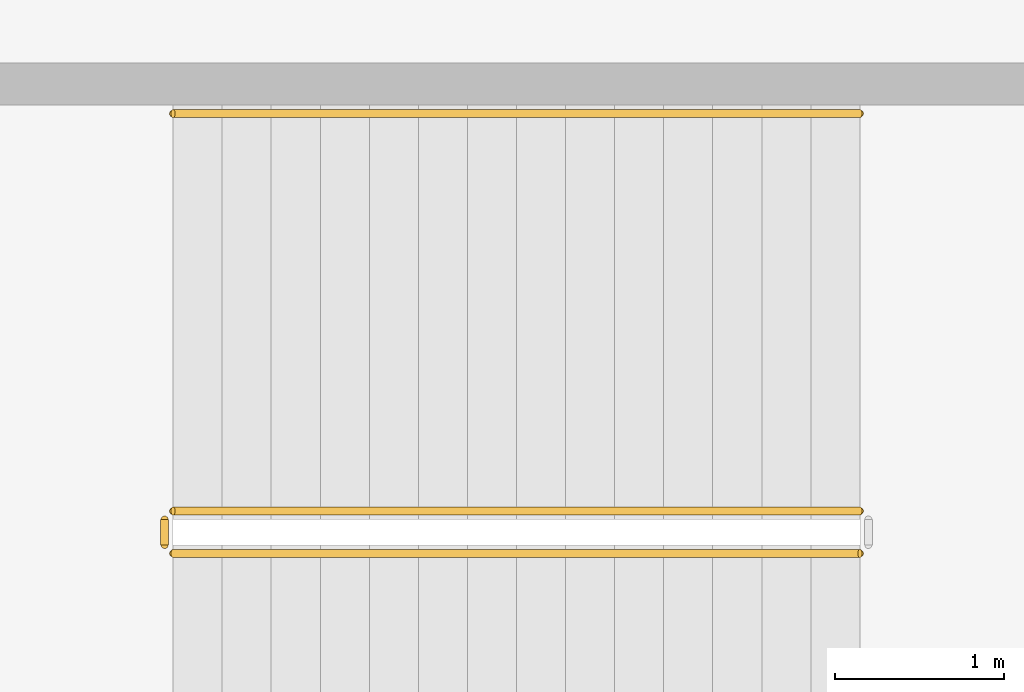
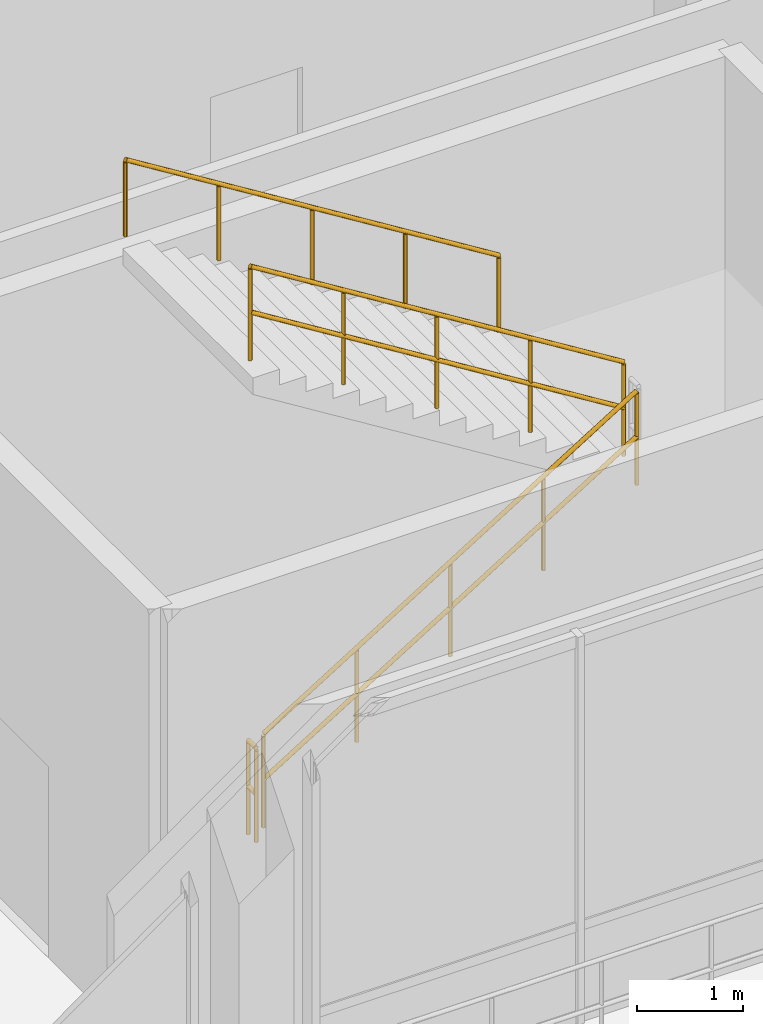
# One storey, part 98 of 111: 4 railings.
"""IFC4 building model written with IfcOpenShell, lengths in metres."""

from ifc_helpers import new_model, si_unit, direction, frame, origin, origin_2d, place, context, subcontext, project, spatial, circle, extrude, material, layer, layer_set, type_object, element, save


model = new_model("IFC4")

# Units and contexts
model_context = context("Model", 3, precision=1e-05, world=origin(), true_north=direction((0.0, 1.0)))
body_context = subcontext(model_context, "Body", "Model", "MODEL_VIEW")
ifc_project = project(units=[si_unit("LENGTHUNIT", "METRE"), si_unit("AREAUNIT", "SQUARE_METRE"), si_unit("VOLUMEUNIT", "CUBIC_METRE"), si_unit("PLANEANGLEUNIT", "RADIAN"), si_unit("MASSUNIT", "GRAM", prefix="KILO")], contexts=[model_context])

# Site, building, storey
site_placement = place(None, origin())
site = spatial("IfcSite", under=ifc_project, at=site_placement, CompositionType="ELEMENT")
building_placement = place(site_placement, origin())
building = spatial("IfcBuilding", under=site, at=building_placement, Name="Candeia Ridge Stadium", CompositionType="ELEMENT")
storey_placement = place(building_placement, frame((0.0, 0.0, 16.199951171875)))
storey = spatial("IfcBuildingStorey", under=building, at=storey_placement, Name="L03", CompositionType="ELEMENT", Elevation=16.199951171875)

# Railings
ifc_material_1 = material(Name="Brushed Stainless Steel", Category="steel")
ifc_layer_1 = layer(ifc_material_1, 0.048095703125, Name="Brushed Stainless Steel", Category="steel")
ifc_layer_set_1 = layer_set([ifc_layer_1], Name="Brushed Stainless Steel")
railing_type_1 = type_object("IfcRailingType", Name="Stair Wall & Flight Handrail 900", PredefinedType="HANDRAIL", material=ifc_layer_set_1)
railing_1_placement = place(storey_placement, frame((153.010009765625, 7.199951171875, 2.880126953125)))
element("IfcRailing", 1, at=railing_1_placement, inside=storey, type_object=railing_type_1, Name="L03 ST14 stair handrail 2", PredefinedType="HANDRAIL", context=body_context, shape_type="SweptSolid", body=[
    extrude(circle(Radius=0.02392578125, at=origin_2d()), frame((0.0, 0.0, 0.8759765625), z_axis=(-0.849641744969, 0.0, 0.527360318194), x_axis=(0.0, -1.0, 0.0)), (0.0, 0.0, 1.0), 4.778564453125),
    extrude(circle(Radius=0.02099609375, at=origin_2d()), origin(), (0.0, 0.0, 1.0), 0.851806640625),
    extrude(circle(Radius=0.02099609375, at=origin_2d()), frame((-1.01513671875, 0.0, 0.6298828125)), (0.0, 0.0, 1.0), 0.851806640625),
    extrude(circle(Radius=0.02099609375, at=origin_2d()), frame((-2.030029296875, 0.0, 1.260009765625)), (0.0, 0.0, 1.0), 0.851806640625),
    extrude(circle(Radius=0.02099609375, at=origin_2d()), frame((-3.044921875, 0.0, 1.89013671875)), (0.0, 0.0, 1.0), 0.851806640625),
    extrude(circle(Radius=0.02099609375, at=origin_2d()), frame((-4.06005859375, 0.0, 2.52001953125)), (0.0, 0.0, 1.0), 0.851806640625),
])
ifc_material_2 = material(Name="Galvanized Powder-Coated Steel", Category="steel")
ifc_layer_2 = layer(ifc_material_2, 0.06005859375, Name="Galvanized Powder-Coated Steel", Category="steel")
ifc_layer_set_2 = layer_set([ifc_layer_2], Name="Galvanized Powder-Coated Steel")
railing_type_2 = type_object("IfcRailingType", Name="Stair Well Guardrail 1100", PredefinedType="GUARDRAIL", material=ifc_layer_set_2)
railing_2_placement = place(storey_placement, frame((148.949951171875, 4.60009765625, 0.179931640625)))
element("IfcRailing", 2, at=railing_2_placement, inside=storey, type_object=railing_type_2, Name="L03 ST14 stair guard 1", PredefinedType="GUARDRAIL", context=body_context, shape_type="SweptSolid", body=[
    extrude(circle(Radius=0.02392578125, at=origin_2d()), frame((0.0, 0.0, 1.076171875), z_axis=(0.849641744969, 0.0, 0.527360318194), x_axis=(0.0, 1.0, 0.0)), (0.0, 0.0, 1.0), 4.778564453125),
    extrude(circle(Radius=0.02392578125, at=origin_2d()), frame((0.0, 0.0, 0.550048828125), z_axis=(0.849641744969, 0.0, 0.527360318194), x_axis=(0.0, 1.0, 0.0)), (0.0, 0.0, 1.0), 4.778564453125),
    extrude(circle(Radius=0.02099609375, at=origin_2d()), origin(), (0.0, 0.0, 1.0), 1.052001953125),
    extrude(circle(Radius=0.02099609375, at=origin_2d()), frame((1.01513671875, 0.0, 0.6298828125)), (0.0, 0.0, 1.0), 1.052001953125),
    extrude(circle(Radius=0.02099609375, at=origin_2d()), frame((2.030029296875, 0.0, 1.260009765625)), (0.0, 0.0, 1.0), 1.052001953125),
    extrude(circle(Radius=0.02099609375, at=origin_2d()), frame((3.044921875, 0.0, 1.89013671875)), (0.0, 0.0, 1.0), 1.052001953125),
    extrude(circle(Radius=0.02099609375, at=origin_2d()), frame((4.06005859375, 0.0, 2.52001953125)), (0.0, 0.0, 1.0), 1.052001953125),
])
railing_3_placement = place(storey_placement, frame((153.010009765625, 4.85009765625, 2.880126953125)))
element("IfcRailing", 3, at=railing_3_placement, inside=storey, type_object=railing_type_2, Name="L03 ST14 stair guard 3", PredefinedType="GUARDRAIL", context=body_context, shape_type="SweptSolid", body=[
    extrude(circle(Radius=0.02392578125, at=origin_2d()), frame((0.0, 0.0, 1.076171875), z_axis=(-0.849641744969, 0.0, 0.527360318194), x_axis=(0.0, -1.0, 0.0)), (0.0, 0.0, 1.0), 4.778564453125),
    extrude(circle(Radius=0.02392578125, at=origin_2d()), frame((0.0, 0.0, 0.550048828125), z_axis=(-0.849641744969, 0.0, 0.527360318194), x_axis=(0.0, -1.0, 0.0)), (0.0, 0.0, 1.0), 4.778564453125),
    extrude(circle(Radius=0.02099609375, at=origin_2d()), origin(), (0.0, 0.0, 1.0), 1.052001953125),
    extrude(circle(Radius=0.02099609375, at=origin_2d()), frame((-1.01513671875, 0.0, 0.6298828125)), (0.0, 0.0, 1.0), 1.052001953125),
    extrude(circle(Radius=0.02099609375, at=origin_2d()), frame((-2.030029296875, 0.0, 1.260009765625)), (0.0, 0.0, 1.0), 1.052001953125),
    extrude(circle(Radius=0.02099609375, at=origin_2d()), frame((-3.044921875, 0.0, 1.89013671875)), (0.0, 0.0, 1.0), 1.052001953125),
    extrude(circle(Radius=0.02099609375, at=origin_2d()), frame((-4.06005859375, 0.0, 2.52001953125)), (0.0, 0.0, 1.0), 1.052001953125),
])
railing_4_placement = place(storey_placement, frame((148.89990234375, 4.64990234375, 0.0)))
element("IfcRailing", 4, at=railing_4_placement, inside=storey, type_object=railing_type_2, Name="L03 ST14 stair guard 4", PredefinedType="GUARDRAIL", context=body_context, shape_type="SweptSolid", body=[
    extrude(circle(Radius=0.02392578125, at=origin_2d()), frame((0.0, 0.0, 1.076171875), z_axis=(0.0, 1.0, 0.0), x_axis=(-1.0, 0.0, 0.0)), (0.0, 0.0, 1.0), 0.150146484375),
    extrude(circle(Radius=0.02392578125, at=origin_2d()), frame((0.0, 0.0, 0.550048828125), z_axis=(0.0, 1.0, 0.0), x_axis=(-1.0, 0.0, 0.0)), (0.0, 0.0, 1.0), 0.150146484375),
    extrude(circle(Radius=0.02099609375, at=origin_2d()), origin(), (0.0, 0.0, 1.0), 1.052001953125),
    extrude(circle(Radius=0.02099609375, at=origin_2d()), frame((0.0, 0.150146484375, 0.0)), (0.0, 0.0, 1.0), 1.052001953125),
])

save(model, "model.ifc")
